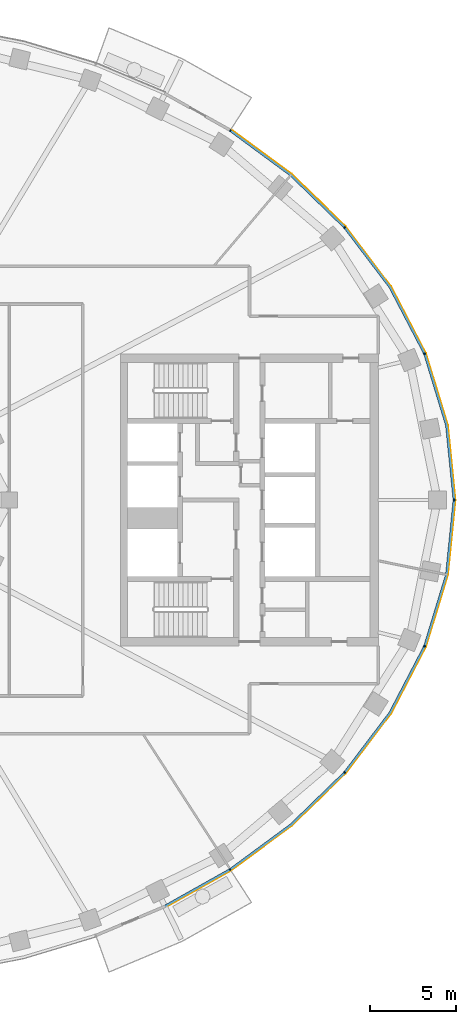
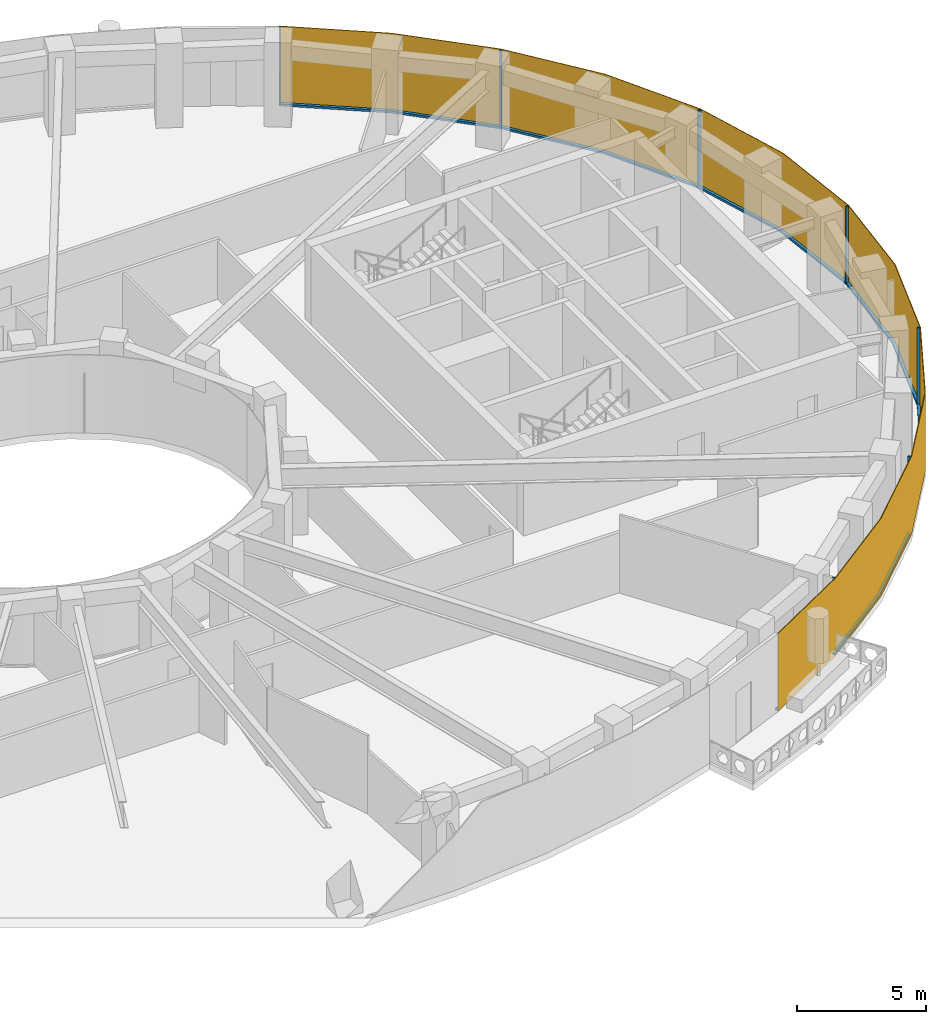
# One storey, part 11 of 15: 14 members, 1 curtain wall.
"""IFC4 building model written with IfcOpenShell, lengths in metres."""

from ifc_helpers import new_model, si_unit, direction, frame, origin, origin_2d, place, context, subcontext, project, spatial, polyline, rectangle, outline, extrude, material, layer, layer_set, material_profile, profile_set, type_object, element, aggregate, save


model = new_model("IFC4")

# Units and contexts
model_context = context("Model", 3, precision=1e-05, world=origin(), true_north=direction((0.0, 1.0)))
body_context = subcontext(model_context, "Body", "Model", "MODEL_VIEW")
ifc_project = project(units=[si_unit("LENGTHUNIT", "METRE"), si_unit("AREAUNIT", "SQUARE_METRE"), si_unit("VOLUMEUNIT", "CUBIC_METRE"), si_unit("PLANEANGLEUNIT", "RADIAN"), si_unit("MASSUNIT", "GRAM", prefix="KILO")], contexts=[model_context])

# Member
ifc_material_1 = material(Name="Aluminium 6063-T6 black anodised", Category="aluminium")
ifc_material_profile = material_profile(ifc_material_1, rectangle(XDim=0.1201171875, YDim=0.06005859375, at=origin_2d()), Name="120x60")
ifc_profile_set = profile_set([ifc_material_profile], Name="Aluminium 6063-T6 black anodised")
member_type_1 = type_object("IfcMemberType", Name="ENV-MULLION-A-120", PredefinedType="MULLION", material=ifc_profile_set)
site_placement = place(None, origin())
building_placement = place(site_placement, origin())
storey_placement = place(building_placement, frame((0.0, 0.0, 277.5)))
member_1_placement = place(storey_placement, frame((22.882568359375, -21.506591796875, 0.0), z_axis=(0.0, 0.0, 1.0), x_axis=(-0.542279153225, 0.840198381323, 0.0)))
member_1 = element("IfcMember", 1, at=member_1_placement, type_object=member_type_1, Name="Mullion A radial 41", PredefinedType="MULLION", context=body_context, shape_type="SweptSolid", body=[
    extrude(rectangle(XDim=0.1201171875, YDim=0.06005859375, at=origin_2d()), origin(), (0.0, 0.0, 1.0), 3.699951171875),
])

member_2_placement = place(storey_placement, frame((29.53857421875, -15.8671875, 0.0), z_axis=(0.0, 0.0, 1.0), x_axis=(-0.749047221705, 0.662516610853, 0.0)))
member_2 = element("IfcMember", 2, at=member_2_placement, type_object=member_type_1, Name="Mullion A radial 43", PredefinedType="MULLION", context=body_context, shape_type="SweptSolid", body=[
    extrude(rectangle(XDim=0.1201171875, YDim=0.06005859375, at=origin_2d()), origin(), (0.0, 0.0, 1.0), 3.699951171875),
])

member_3_placement = place(storey_placement, frame((34.19580078125, -8.513916015625, 0.0), z_axis=(0.0, 0.0, 1.0), x_axis=(-0.92546738067, 0.378827305398, 0.0)))
member_3 = element("IfcMember", 3, at=member_3_placement, type_object=member_type_1, Name="Mullion A radial 45", PredefinedType="MULLION", context=body_context, shape_type="SweptSolid", body=[
    extrude(rectangle(XDim=0.1201171875, YDim=0.06005859375, at=origin_2d()), origin(), (0.0, 0.0, 1.0), 3.699951171875),
])

member_4_placement = place(storey_placement, frame((35.907958984375, 0.0, 0.0), z_axis=(0.0, 0.0, 1.0), x_axis=(-1.0, 0.0, 0.0)))
member_4 = element("IfcMember", 4, at=member_4_placement, type_object=member_type_1, Name="Mullion A radial 01", PredefinedType="MULLION", context=body_context, shape_type="SweptSolid", body=[
    extrude(rectangle(XDim=0.1201171875, YDim=0.06005859375, at=origin_2d()), origin(), (0.0, 0.0, 1.0), 3.699951171875),
])

member_5_placement = place(storey_placement, frame((34.19580078125, 8.513916015625, 0.0), z_axis=(0.0, 0.0, 1.0), x_axis=(-0.92546738067, -0.378827305398, 0.0)))
member_5 = element("IfcMember", 5, at=member_5_placement, type_object=member_type_1, Name="Mullion A radial 03", PredefinedType="MULLION", context=body_context, shape_type="SweptSolid", body=[
    extrude(rectangle(XDim=0.1201171875, YDim=0.06005859375, at=origin_2d()), origin(), (0.0, 0.0, 1.0), 3.699951171875),
])

member_6_placement = place(storey_placement, frame((29.53857421875, 15.8671875, 0.0), z_axis=(0.0, 0.0, 1.0), x_axis=(-0.749047221705, -0.662516610853, 0.0)))
member_6 = element("IfcMember", 6, at=member_6_placement, type_object=member_type_1, Name="Mullion A radial 05", PredefinedType="MULLION", context=body_context, shape_type="SweptSolid", body=[
    extrude(rectangle(XDim=0.1201171875, YDim=0.06005859375, at=origin_2d()), origin(), (0.0, 0.0, 1.0), 3.699951171875),
])

member_7_placement = place(storey_placement, frame((22.882568359375, 21.506591796875, 0.0), z_axis=(0.0, 0.0, 1.0), x_axis=(-0.542279153225, -0.840198381323, 0.0)))
member_7 = element("IfcMember", 7, at=member_7_placement, type_object=member_type_1, Name="Mullion A radial 07", PredefinedType="MULLION", context=body_context, shape_type="SweptSolid", body=[
    extrude(rectangle(XDim=0.1201171875, YDim=0.06005859375, at=origin_2d()), origin(), (0.0, 0.0, 1.0), 3.699951171875),
])

ifc_material_2 = material(Name="Aluminium 6063-T6 black anodised", Category="aluminium")
member_type_2 = type_object("IfcMemberType", Name="ENV-TRANSOM-A", PredefinedType="USERDEFINED", material=ifc_material_2)
member_8_placement = place(storey_placement, origin())
member_8 = element("IfcMember", 8, at=member_8_placement, type_object=member_type_2, Name="Transom A radial 40-41", ObjectType="TRANSOM", PredefinedType="USERDEFINED", context=body_context, shape_type="SweptSolid", body=[
    extrude(outline(polyline([(19.111572265625, -23.691650390625), (22.890625, -21.570556640625), (22.825439453125, -21.469482421875), (19.058837890625, -23.58349609375), (19.111572265625, -23.691650390625)])), origin(), (0.0, 0.0, 1.0), 0.10009765625),
])

member_9_placement = place(storey_placement, origin())
member_9 = element("IfcMember", 9, at=member_9_placement, type_object=member_type_2, Name="Transom A radial 41-43", ObjectType="TRANSOM", PredefinedType="USERDEFINED", context=body_context, shape_type="SweptSolid", body=[
    extrude(outline(polyline([(22.937744140625, -21.540283203125), (26.4423828125, -18.958740234375), (29.5634765625, -15.926513671875), (29.473388671875, -15.8466796875), (26.364501953125, -18.866943359375), (22.87255859375, -21.439208984375), (22.937744140625, -21.540283203125)])), origin(), (0.0, 0.0, 1.0), 0.10009765625),
])

member_10_placement = place(storey_placement, origin())
member_10 = element("IfcMember", 10, at=member_10_placement, type_object=member_type_2, Name="Transom A radial 43-45", ObjectType="TRANSOM", PredefinedType="USERDEFINED", context=body_context, shape_type="SweptSolid", body=[
    extrude(outline(polyline([(29.6005859375, -15.884521484375), (32.22802734375, -12.41748046875), (34.23828125, -8.5615234375), (34.126708984375, -8.515869140625), (32.126220703125, -12.35302734375), (29.51025390625, -15.8046875), (29.6005859375, -15.884521484375)])), origin(), (0.0, 0.0, 1.0), 0.10009765625),
])

member_11_placement = place(storey_placement, origin())
member_11 = element("IfcMember", 11, at=member_11_placement, type_object=member_type_2, Name="Transom A radial 45-01", ObjectType="TRANSOM", PredefinedType="USERDEFINED", context=body_context, shape_type="SweptSolid", body=[
    extrude(outline(polyline([(34.259521484375, -8.509765625), (35.529541015625, -4.352294921875), (35.965087890625, -0.02783203125), (35.844482421875, -0.02783203125), (35.411376953125, -4.32861328125), (34.14794921875, -8.464111328125), (34.259521484375, -8.509765625)])), origin(), (0.0, 0.0, 1.0), 0.10009765625),
])

member_12_placement = place(storey_placement, origin())
member_12 = element("IfcMember", 12, at=member_12_placement, type_object=member_type_2, Name="Transom A radial 01-03", ObjectType="TRANSOM", PredefinedType="USERDEFINED", context=body_context, shape_type="SweptSolid", body=[
    extrude(outline(polyline([(35.965087890625, 0.02783203125), (35.529541015625, 4.352294921875), (34.259521484375, 8.509765625), (34.14794921875, 8.464111328125), (35.411376953125, 4.32861328125), (35.844482421875, 0.02783203125), (35.965087890625, 0.02783203125)])), origin(), (0.0, 0.0, 1.0), 0.10009765625),
])

member_13_placement = place(storey_placement, origin())
member_13 = element("IfcMember", 13, at=member_13_placement, type_object=member_type_2, Name="Transom A radial 03-05", ObjectType="TRANSOM", PredefinedType="USERDEFINED", context=body_context, shape_type="SweptSolid", body=[
    extrude(outline(polyline([(34.23828125, 8.5615234375), (32.22802734375, 12.41748046875), (29.6005859375, 15.884521484375), (29.51025390625, 15.8046875), (32.126220703125, 12.35302734375), (34.126708984375, 8.515869140625), (34.23828125, 8.5615234375)])), origin(), (0.0, 0.0, 1.0), 0.10009765625),
])

member_14_placement = place(storey_placement, origin())
member_14 = element("IfcMember", 14, at=member_14_placement, type_object=member_type_2, Name="Transom A radial 05-07", ObjectType="TRANSOM", PredefinedType="USERDEFINED", context=body_context, shape_type="SweptSolid", body=[
    extrude(outline(polyline([(29.5634765625, 15.926513671875), (26.4423828125, 18.958740234375), (22.937744140625, 21.540283203125), (22.87255859375, 21.439208984375), (26.364501953125, 18.866943359375), (29.473388671875, 15.8466796875), (29.5634765625, 15.926513671875)])), origin(), (0.0, 0.0, 1.0), 0.10009765625),
])

# Site, building, storey
site = spatial("IfcSite", under=ifc_project, at=site_placement, CompositionType="ELEMENT")
building = spatial("IfcBuilding", under=site, at=building_placement, Name="Noorbagh Ring Tower", CompositionType="ELEMENT")
storey = spatial("IfcBuildingStorey", under=building, at=storey_placement, Name="L59", CompositionType="ELEMENT", Elevation=277.5)

# Curtain wall
ifc_material_3 = material(Name="Glass dark tinted laminated", Category="glass")
ifc_layer = layer(ifc_material_3, 0.031982421875)
ifc_layer_set = layer_set([ifc_layer], Name="Glass dark tinted laminated")
curtain_wall_type = type_object("IfcCurtainWallType", Name="ENV-CW-A", PredefinedType="NOTDEFINED", material=ifc_layer_set)
curtain_wall_placement = place(storey_placement, origin())
curtain_wall = element("IfcCurtainWall", 15, at=curtain_wall_placement, inside=storey, type_object=curtain_wall_type, Name="Curtain wall A R40", PredefinedType="NOTDEFINED", context=body_context, shape_type="SweptSolid", body=[
    extrude(outline(polyline([(19.125732421875, -23.720458984375), (22.9326171875, -21.583740234375), (26.463134765625, -18.9833984375), (29.607666015625, -15.927978515625), (32.255126953125, -12.434814453125), (34.281005859375, -8.548828125), (35.561279296875, -4.358642578125), (36.0, 0.0), (35.561279296875, 4.358642578125), (34.281005859375, 8.548828125), (32.255126953125, 12.434814453125), (29.607666015625, 15.927978515625), (26.463134765625, 18.9833984375), (22.948486328125, 21.572021484375), (22.931396484375, 21.544921875), (26.4423828125, 18.958740234375), (29.58349609375, 15.906982421875), (32.22802734375, 12.41748046875), (34.251220703125, 8.53662109375), (35.529541015625, 4.352294921875), (35.9677734375, 0.0), (35.529541015625, -4.352294921875), (34.251220703125, -8.53662109375), (32.22802734375, -12.41748046875), (29.58349609375, -15.906982421875), (26.4423828125, -18.958740234375), (22.9150390625, -21.556884765625), (19.111572265625, -23.691650390625), (19.125732421875, -23.720458984375)])), origin(), (0.0, 0.0, 1.0), 3.699951171875),
])

aggregate(curtain_wall, [member_1, member_2, member_3, member_4, member_5, member_6, member_7, member_8, member_9, member_10, member_11, member_12, member_13, member_14])

save(model, "model.ifc")
